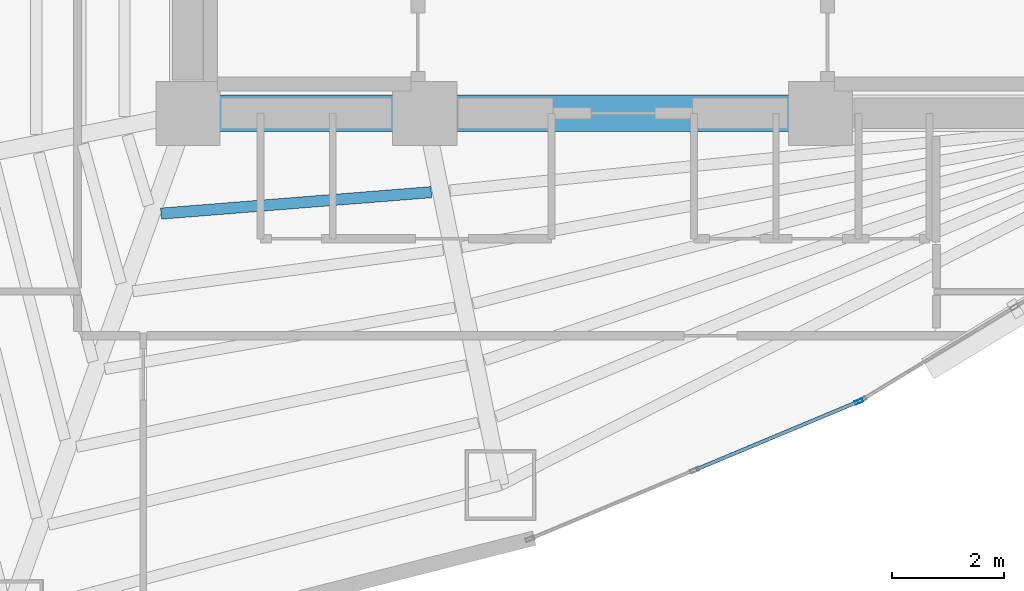
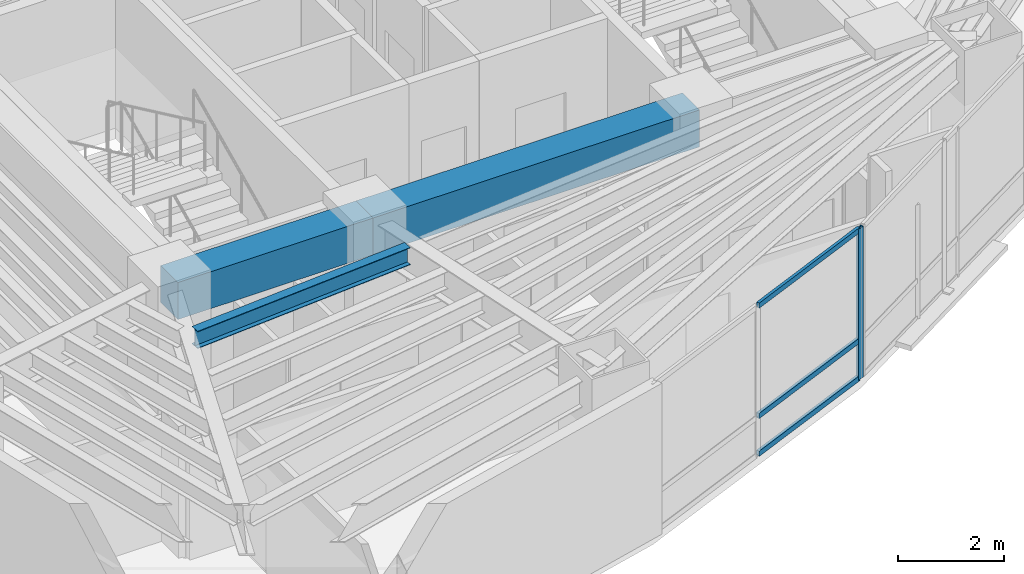
# One storey, part 4 of 18: 4 members, 3 beams, 1 element without a shape of its own.
"""IFC4 building model written with IfcOpenShell, lengths in metres."""

import ifcopenshell
import ifcopenshell.guid

model = None  # the IFC model being written
_history = None  # IfcOwnerHistory: only IFC2X3 demands one
_inside = {}  # id of a spatial element -> (the spatial element, [elements in it])
_under = {}  # id of a project, library or spatial element -> (it, [spatial elements below it])
_declared = {}  # id of a project -> (the project, [libraries it declares])
_typed = {}  # id of a type object -> (the type object, [elements of that type])
_made_of = {}  # id of a material, layer set ... -> (it, [elements and type objects made of it])


def new_model(schema):
    """Start an empty IFC model of exactly this schema.

    Asked for "IFC4X3", IfcOpenShell would pick the latest addendum, in which some entities
    have other attributes; the version numbers below select the first issue.
    IFC2X3 requires an IfcOwnerHistory on every rooted entity: one is made here for all.
    """
    global model, _history
    if schema == "IFC4X3":
        model = ifcopenshell.file(schema_version=(4, 3, 0, 0))
    else:
        model = ifcopenshell.file(schema=schema)
    _inside.clear()
    _under.clear()
    _declared.clear()
    _typed.clear()
    _made_of.clear()
    _history = None
    if model.schema == "IFC2X3":
        org = make("IfcOrganization", Name="unknown")
        user = make(
            "IfcPersonAndOrganization",
            ThePerson=make("IfcPerson", FamilyName="unknown"),
            TheOrganization=org,
        )
        app = make(
            "IfcApplication",
            ApplicationDeveloper=org,
            Version="unknown",
            ApplicationFullName="unknown",
            ApplicationIdentifier="unknown",
        )
        _history = make(
            "IfcOwnerHistory",
            OwningUser=user,
            OwningApplication=app,
            ChangeAction="ADDED",
            CreationDate=0,
        )
    return model


def make(cls, **values):
    """One entity of the class cls with the attributes given. An attribute that is None is left unset."""
    return model.create_entity(
        cls, **{name: value for name, value in values.items() if value is not None}
    )


def rooted(cls, **values):
    """An entity with a GlobalId (a new one), such as an element, a storey or a relation."""
    return make(cls, GlobalId=ifcopenshell.guid.new(), OwnerHistory=_history, **values)


def si_unit(unit_type, name, prefix=None):
    """IfcSIUnit, for example si_unit("LENGTHUNIT", "METRE", prefix="MILLI")."""
    return make("IfcSIUnit", UnitType=unit_type, Prefix=prefix, Name=name)


def assignment(units):
    """IfcUnitAssignment: the units of a project."""
    return None if units is None else make("IfcUnitAssignment", Units=units)


def point(xyz):
    """IfcCartesianPoint."""
    return None if xyz is None else make("IfcCartesianPoint", Coordinates=xyz)


def direction(xyz):
    """IfcDirection."""
    return None if xyz is None else make("IfcDirection", DirectionRatios=xyz)


def frame(location, z_axis=None, x_axis=None):
    """IfcAxis2Placement3D, a coordinate frame: its origin and axes. An axis left out is left unset."""
    return make(
        "IfcAxis2Placement3D",
        Location=point(location),
        Axis=direction(z_axis),
        RefDirection=direction(x_axis),
    )


def frame_2d(location, x_axis=None):
    """IfcAxis2Placement2D, a coordinate frame in the plane: its origin and x axis."""
    return make(
        "IfcAxis2Placement2D", Location=point(location), RefDirection=direction(x_axis)
    )


def origin():
    """The frame at (0, 0, 0) with its axes left unset."""
    return frame((0.0, 0.0, 0.0))


def origin_2d():
    """The frame at (0, 0) in the plane with its x axis left unset."""
    return frame_2d((0.0, 0.0))


def place(relative_to, where):
    """IfcLocalPlacement: puts the frame where relative to a parent placement (None: the world)."""
    return make(
        "IfcLocalPlacement", PlacementRelTo=relative_to, RelativePlacement=where
    )


def context(
    kind, dimensions, precision=None, world=None, true_north=None, identifier=None
):
    """IfcGeometricRepresentationContext, for example the 3D "Model" context."""
    return make(
        "IfcGeometricRepresentationContext",
        ContextIdentifier=identifier,
        ContextType=kind,
        CoordinateSpaceDimension=dimensions,
        Precision=precision,
        WorldCoordinateSystem=world,
        TrueNorth=true_north,
    )


def subcontext(parent, identifier, kind, view, scale=None):
    """IfcGeometricRepresentationSubContext, for example "Body" below "Model"."""
    return make(
        "IfcGeometricRepresentationSubContext",
        ContextIdentifier=identifier,
        ContextType=kind,
        ParentContext=parent,
        TargetScale=scale,
        TargetView=view,
    )


def project(units=None, contexts=None):
    """IfcProject with its units and contexts."""
    return rooted(
        "IfcProject",
        Name="project",
        RepresentationContexts=contexts,
        UnitsInContext=assignment(units),
    )


def spatial(cls, under=None, at=None, **own):
    """A site, building, storey or space (cls), placed at a placement, below another one or the project."""
    s = rooted(cls, ObjectPlacement=at, **own)
    if under is not None:
        _under.setdefault(under.id(), (under, []))[1].append(s)
    return s


def profile(cls, at=None, kind="AREA", **sizes):
    """A parametric profile (cls). Its sizes go by their IFC names, for example OverallWidth=200.0."""
    return make(cls, ProfileType=kind, Position=at, **sizes)


def rectangle(**sizes):
    """IfcRectangleProfileDef."""
    return profile("IfcRectangleProfileDef", **sizes)


def hollow_rectangle(**sizes):
    """IfcRectangleHollowProfileDef."""
    return profile("IfcRectangleHollowProfileDef", **sizes)


def i_section(**sizes):
    """IfcIShapeProfileDef."""
    return profile("IfcIShapeProfileDef", **sizes)


def extrude(swept, where, along, depth):
    """IfcExtrudedAreaSolid: the profile swept, set in the frame where, extruded along a direction by depth."""
    return make(
        "IfcExtrudedAreaSolid",
        SweptArea=swept,
        Position=where,
        ExtrudedDirection=direction(along),
        Depth=depth,
    )


def shape(context_of_items, identifier, shape_type, items):
    """IfcShapeRepresentation: the items that make up one representation, for example the "Body"."""
    return make(
        "IfcShapeRepresentation",
        ContextOfItems=context_of_items,
        RepresentationIdentifier=identifier,
        RepresentationType=shape_type,
        Items=items,
    )


def material(Name=None, Category=None):
    """IfcMaterial."""
    return make("IfcMaterial", Name=Name, Category=Category)


def layer(
    of_material, thickness, ventilated=None, Name=None, Category=None, Priority=None
):
    """IfcMaterialLayer: one layer of a wall or slab, of a material (None: an air gap)."""
    return make(
        "IfcMaterialLayer",
        Material=of_material,
        LayerThickness=thickness,
        IsVentilated=ventilated,
        Name=Name,
        Category=Category,
        Priority=Priority,
    )


def layer_set(layers, Name=None):
    """IfcMaterialLayerSet."""
    return make("IfcMaterialLayerSet", MaterialLayers=layers, LayerSetName=Name)


def material_profile(
    of_material, cross_section, Name=None, Category=None, Priority=None
):
    """IfcMaterialProfile: a cross section and its material."""
    return make(
        "IfcMaterialProfile",
        Name=Name,
        Material=of_material,
        Profile=cross_section,
        Priority=Priority,
        Category=Category,
    )


def profile_set(profiles, Name=None, composite=None):
    """IfcMaterialProfileSet."""
    return make(
        "IfcMaterialProfileSet",
        Name=Name,
        MaterialProfiles=profiles,
        CompositeProfile=composite,
    )


def made_of(thing, what):
    """Note that an element or type object is made of a material, layer set ...; save() writes the relation."""
    if what is not None:
        _made_of.setdefault(what.id(), (what, []))[1].append(thing)
    return thing


def type_object(cls, material=None, **own):
    """A type object (cls), such as IfcWallType, which elements share."""
    return made_of(rooted(cls, **own), material)


def element(
    cls,
    number,
    at=None,
    inside=None,
    cuts=None,
    type_object=None,
    material=None,
    context=None,
    identifier="Body",
    shape_type=None,
    held_by="IfcProductDefinitionShape",
    body=None,
    shapes=None,
    **own,
):
    """One element of the class cls, such as IfcWall. Its Tag is "e" and its number.

    at: its placement. inside: the storey or other place that contains it. cuts: it is an
    opening in that element (IfcRelVoidsElement). A single representation is given by context,
    identifier, shape_type and body (its items); several are given by shapes. held_by: the class
    of the entity that holds the representations. save() writes the other relations.
    """
    e = rooted(cls, Tag="e%d" % number, ObjectPlacement=at, **own)
    if body is not None:
        shapes = [shape(context, identifier, shape_type, body)]
    if shapes is not None:
        e.Representation = make(held_by, Representations=shapes)
    if inside is not None:
        _inside.setdefault(inside.id(), (inside, []))[1].append(e)
    if cuts is not None:
        rooted(
            "IfcRelVoidsElement", RelatingBuildingElement=cuts, RelatedOpeningElement=e
        )
    if type_object is not None:
        _typed.setdefault(type_object.id(), (type_object, []))[1].append(e)
    return made_of(e, material)


def aggregate(whole, parts):
    """IfcRelAggregates: a whole, such as a stair, and the parts it consists of."""
    return rooted("IfcRelAggregates", RelatingObject=whole, RelatedObjects=parts)


def save(model, path):
    """Write the relations noted so far, then the file.

    IfcRelAggregates (storeys below a building ...), IfcRelContainedInSpatialStructure (elements
    in a storey), IfcRelDefinesByType, IfcRelAssociatesMaterial and IfcRelDeclares: one each for
    every whole, place, type object, material and project.
    """
    for whole, parts in _under.values():
        aggregate(whole, parts)
    for where, things in _inside.values():
        rooted(
            "IfcRelContainedInSpatialStructure",
            RelatedElements=things,
            RelatingStructure=where,
        )
    for kind, things in _typed.values():
        rooted("IfcRelDefinesByType", RelatedObjects=things, RelatingType=kind)
    for what, things in _made_of.values():
        rooted("IfcRelAssociatesMaterial", RelatedObjects=things, RelatingMaterial=what)
    for by, libraries in _declared.values():
        rooted("IfcRelDeclares", RelatingContext=by, RelatedDefinitions=libraries)
    model.write(path)


model = new_model("IFC4")

# Units and contexts
model_context = context("Model", 3, precision=1e-05, world=origin(), true_north=direction((0.0, 1.0)))
body_context = subcontext(model_context, "Body", "Model", "MODEL_VIEW")
ifc_project = project(units=[si_unit("LENGTHUNIT", "METRE"), si_unit("AREAUNIT", "SQUARE_METRE"), si_unit("VOLUMEUNIT", "CUBIC_METRE"), si_unit("PLANEANGLEUNIT", "RADIAN"), si_unit("MASSUNIT", "GRAM", prefix="KILO")], contexts=[model_context])

# Site, building, storey
site_placement = place(None, origin())
site = spatial("IfcSite", under=ifc_project, at=site_placement, CompositionType="ELEMENT")
building_placement = place(site_placement, origin())
building = spatial("IfcBuilding", under=site, at=building_placement, Name="Menara Vayukalpa", CompositionType="ELEMENT")
storey_placement = place(building_placement, frame((0.0, 0.0, 96.5400390625)))
storey = spatial("IfcBuildingStorey", under=building, at=storey_placement, Name="L23", CompositionType="ELEMENT", Elevation=96.5400390625)

# Beams
ifc_material_1 = material(Name="Concrete C60/75", Category="concrete")
ifc_material_profile_1 = material_profile(ifc_material_1, rectangle(XDim=0.64990234375, YDim=0.85009765625, at=origin_2d()), Name="RC 650x850")
ifc_profile_set_1 = profile_set([ifc_material_profile_1], Name="Concrete C60/75")
beam_type_1 = type_object("IfcBeamType", Name="BM-CB1", PredefinedType="BEAM", material=ifc_profile_set_1)
beam_1_placement = place(storey_placement, frame((17.800048828125, 17.199951171875, 3.044921875), z_axis=(1.0, 0.0, 0.0), x_axis=(0.0, 1.0, 0.0)))
element("IfcBeam", 1, at=beam_1_placement, inside=storey, type_object=beam_type_1, Name="L23 Core Tie Beam CBR1", PredefinedType="BEAM", context=body_context, shape_type="SweptSolid", body=[
    extrude(rectangle(XDim=0.64990234375, YDim=0.85009765625, at=origin_2d()), origin(), (0.0, 0.0, 1.0), 4.25),
])
beam_2_placement = place(storey_placement, frame((22.050048828125, 17.199951171875, 3.044921875), z_axis=(1.0, 0.0, 0.0), x_axis=(0.0, 1.0, 0.0)))
element("IfcBeam", 2, at=beam_2_placement, inside=storey, type_object=beam_type_1, Name="L23 Core Tie Beam CBR2", PredefinedType="BEAM", context=body_context, shape_type="SweptSolid", body=[
    extrude(rectangle(XDim=0.64990234375, YDim=0.85009765625, at=origin_2d()), origin(), (0.0, 0.0, 1.0), 7.099853515625),
])
ifc_material_2 = material(Name="Steel S355", Category="steel")
ifc_material_profile_2 = material_profile(ifc_material_2, i_section(OverallWidth=0.199951171875, OverallDepth=0.39990234375, WebThickness=0.008056640625, FlangeThickness=0.012939453125, at=origin_2d()), Name="WF 400x200x8x13")
ifc_profile_set_2 = profile_set([ifc_material_profile_2], Name="Steel S355")
beam_type_2 = type_object("IfcBeamType", Name="BM-SJ2", PredefinedType="JOIST", material=ifc_profile_set_2)
beam_3_placement = place(storey_placement, frame((17.318603515625, 15.40087890625, 3.27001953125), z_axis=(0.996868534468, 0.079076703187, 0.0), x_axis=(-0.079076703187, 0.996868534468, 0.0)))
element("IfcBeam", 3, at=beam_3_placement, inside=storey, type_object=beam_type_2, Name="L23 Secondary Floor Joist SJ07-1", PredefinedType="JOIST", context=body_context, shape_type="SweptSolid", body=[
    extrude(i_section(OverallWidth=0.199951171875, OverallDepth=0.39990234375, WebThickness=0.008056640625, FlangeThickness=0.012939453125, at=origin_2d()), origin(), (0.0, 0.0, 1.0), 4.862548828125),
])

# Curtain wall, members
ifc_material_3 = material(Name="Anodised Terracotta Aluminium Alloy 6063-T6", Category="masonry")
ifc_layer = layer(ifc_material_3, 0.14990234375)
ifc_layer_set = layer_set([ifc_layer], Name="Anodised Terracotta Aluminium Alloy 6063-T6")
curtain_wall_type = type_object("IfcCurtainWallType", Name="CW-CW3", PredefinedType="USERDEFINED", material=ifc_layer_set)
curtain_wall_placement = place(storey_placement, origin())
curtain_wall = element("IfcCurtainWall", 4, at=curtain_wall_placement, inside=storey, type_object=curtain_wall_type, Name="L23 Mid Rise Terracotta Ribbon Curtain Wall CW3 16", ObjectType="UNITISED", PredefinedType="USERDEFINED")
ifc_material_4 = material(Name="Anodised Terracotta Aluminium Alloy 6063-T6", Category="masonry")
ifc_material_profile_3 = material_profile(ifc_material_4, hollow_rectangle(XDim=0.06494140625, YDim=0.14990234375, WallThickness=0.00341796875, at=origin_2d()), Name="ALU 65x150x3.5")
ifc_profile_set_3 = profile_set([ifc_material_profile_3], Name="Anodised Terracotta Aluminium Alloy 6063-T6")
member_type_1 = type_object("IfcMemberType", Name="CWM-CW3", PredefinedType="MULLION", material=ifc_profile_set_3)
member_1_placement = place(storey_placement, frame((29.8359375, 12.0322265625, 0.0), z_axis=(0.0, 0.0, 1.0), x_axis=(-0.38589358437, 0.922543300632, 0.0)))
member_1 = element("IfcMember", 5, at=member_1_placement, type_object=member_type_1, Name="CW3 mullion 3", PredefinedType="MULLION", context=body_context, shape_type="SweptSolid", body=[
    extrude(hollow_rectangle(XDim=0.06494140625, YDim=0.14990234375, WallThickness=0.00341796875, at=origin_2d()), origin(), (0.0, 0.0, 1.0), 3.469970703125),
])
ifc_material_5 = material(Name="Anodised Terracotta Aluminium Alloy 6063-T6", Category="masonry")
ifc_material_profile_4 = material_profile(ifc_material_5, hollow_rectangle(XDim=0.06494140625, YDim=0.1201171875, WallThickness=0.00341796875, at=origin_2d()), Name="ALU 65x120x3.5")
ifc_profile_set_4 = profile_set([ifc_material_profile_4], Name="Anodised Terracotta Aluminium Alloy 6063-T6")
member_type_2 = type_object("IfcMemberType", Name="CWT-CW3", PredefinedType="USERDEFINED", material=ifc_profile_set_4)
member_2_placement = place(storey_placement, frame((26.916748046875, 10.81103515625, 0.032470703125), z_axis=(0.922517812792, 0.385954511673, 0.0), x_axis=(-0.385954511673, 0.922517812792, 0.0)))
member_2 = element("IfcMember", 6, at=member_2_placement, type_object=member_type_2, Name="CW3 transom 2.1", ObjectType="TRANSOM", PredefinedType="USERDEFINED", context=body_context, shape_type="SweptSolid", body=[
    extrude(hollow_rectangle(XDim=0.06494140625, YDim=0.1201171875, WallThickness=0.00341796875, at=origin_2d()), origin(), (0.0, 0.0, 1.0), 3.1318359375),
])
member_3_placement = place(storey_placement, frame((26.916748046875, 10.81103515625, 0.89990234375), z_axis=(0.922517812792, 0.385954511673, 0.0), x_axis=(-0.385954511673, 0.922517812792, 0.0)))
member_3 = element("IfcMember", 7, at=member_3_placement, type_object=member_type_2, Name="CW3 transom 2.2", ObjectType="TRANSOM", PredefinedType="USERDEFINED", context=body_context, shape_type="SweptSolid", body=[
    extrude(hollow_rectangle(XDim=0.06494140625, YDim=0.1201171875, WallThickness=0.00341796875, at=origin_2d()), origin(), (0.0, 0.0, 1.0), 3.1318359375),
])
member_4_placement = place(storey_placement, frame((26.916748046875, 10.81103515625, 3.4375), z_axis=(0.922517812792, 0.385954511673, 0.0), x_axis=(-0.385954511673, 0.922517812792, 0.0)))
member_4 = element("IfcMember", 8, at=member_4_placement, type_object=member_type_2, Name="CW3 transom 2.3", ObjectType="TRANSOM", PredefinedType="USERDEFINED", context=body_context, shape_type="SweptSolid", body=[
    extrude(hollow_rectangle(XDim=0.06494140625, YDim=0.1201171875, WallThickness=0.00341796875, at=origin_2d()), origin(), (0.0, 0.0, 1.0), 3.1318359375),
])
aggregate(curtain_wall, [member_1, member_2, member_3, member_4])

save(model, "model.ifc")
